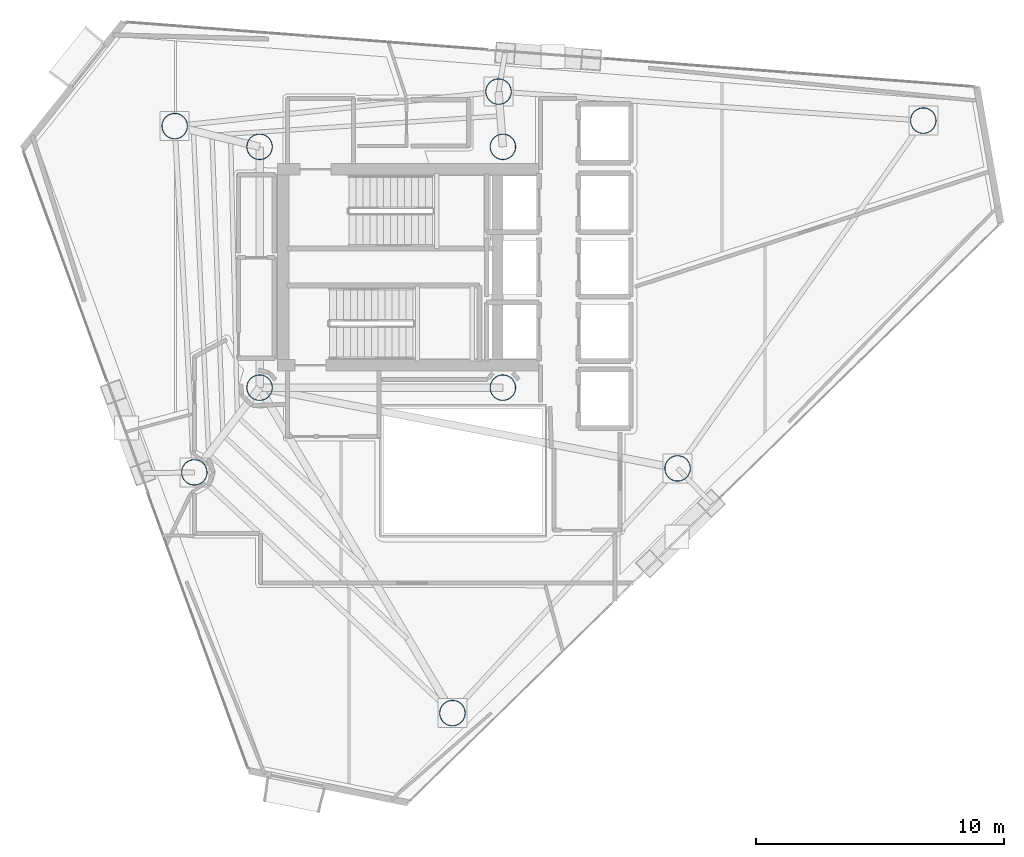
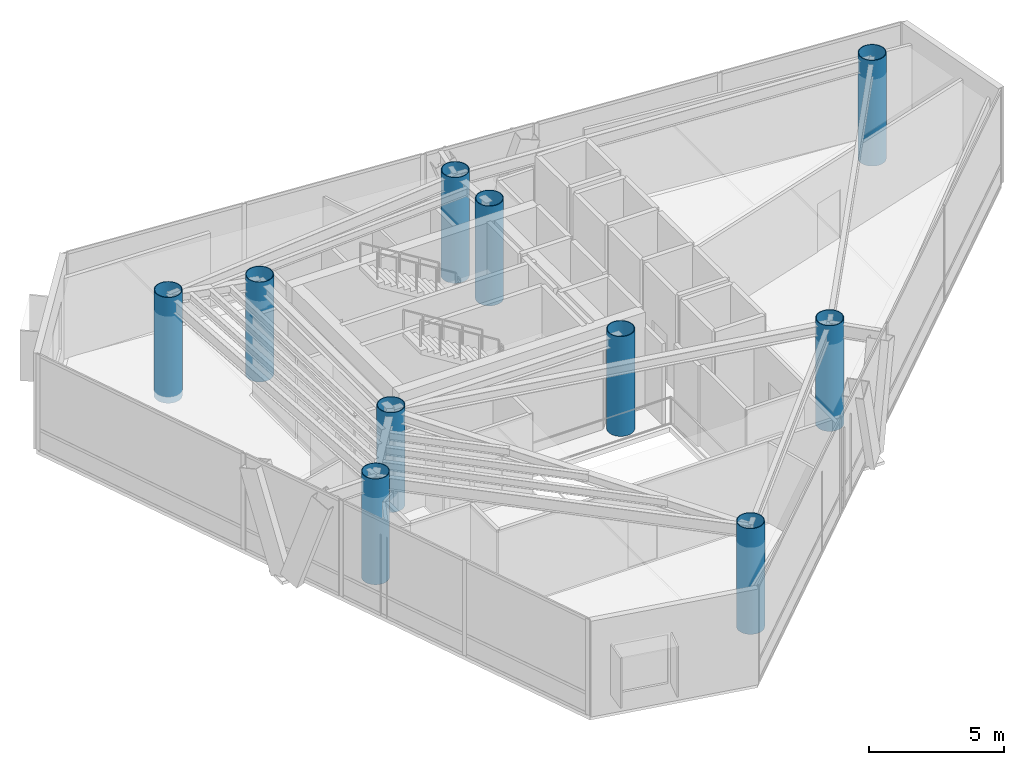
# One storey, part 1 of 21: 10 columns.
"""IFC4 building model written with IfcOpenShell, lengths in metres."""

from ifc_helpers import new_model, si_unit, direction, frame, origin, origin_2d, place, context, subcontext, project, spatial, hollow_circle, extrude, material, material_profile, profile_set, type_object, element, save


model = new_model("IFC4")

# Units and contexts
model_context = context("Model", 3, precision=1e-05, world=origin(), true_north=direction((0.0, 1.0)))
body_context = subcontext(model_context, "Body", "Model", "MODEL_VIEW")
ifc_project = project(units=[si_unit("LENGTHUNIT", "METRE"), si_unit("AREAUNIT", "SQUARE_METRE"), si_unit("VOLUMEUNIT", "CUBIC_METRE"), si_unit("PLANEANGLEUNIT", "RADIAN"), si_unit("MASSUNIT", "GRAM", prefix="KILO")], contexts=[model_context])

# Site, building, storey
site_placement = place(None, origin())
site = spatial("IfcSite", under=ifc_project, at=site_placement, CompositionType="ELEMENT")
building_placement = place(site_placement, origin())
building = spatial("IfcBuilding", under=site, at=building_placement, Name="Qianvela Tower", CompositionType="ELEMENT")
storey_placement = place(building_placement, frame((0.0, 0.0, 234.5)))
storey = spatial("IfcBuildingStorey", under=building, at=storey_placement, Name="L60", CompositionType="ELEMENT", Elevation=234.5)

# Columns
ifc_material = material(Name="Steel Q420GJC", Category="steel")
ifc_material_profile = material_profile(ifc_material, hollow_circle(Radius=0.52490234375, WallThickness=0.028076171875, at=origin_2d()), Name="CFT-1050x28")
ifc_profile_set = profile_set([ifc_material_profile], Name="Steel Q420GJC")
column_type = type_object("IfcColumnType", Name="COL-CFT-1050x28", PredefinedType="COLUMN", material=ifc_profile_set)
for number, where, z_axis, x_axis, name in (
    (1, (28.60009765625, 33.550048828125, 0.0), (0.0, 0.0, 1.0), (1.0, 0.0, 0.0), "L60 Core Corner Mega-Column CC-NW"),
    (2, (28.60009765625, 23.85009765625, 0.0), (0.0, 0.0, 1.0), (1.0, 0.0, 0.0), "L60 Core Corner Mega-Column CC-SW"),
    (3, (38.39990234375, 33.550048828125, 0.0), (0.0, 0.0, 1.0), (1.0, 0.0, 0.0), "L60 Core Corner Mega-Column CC-NE"),
    (4, (38.39990234375, 23.85009765625, 0.0), (0.0, 0.0, 1.0), (1.0, 0.0, 0.0), "L60 Core Corner Mega-Column CC-SE"),
):
    element("IfcColumn", number, at=place(storey_placement, frame(where, z_axis=z_axis, x_axis=x_axis)), inside=storey, type_object=column_type, Name=name, PredefinedType="COLUMN", context=body_context, shape_type="SweptSolid", body=[
        extrude(hollow_circle(Radius=0.52490234375, WallThickness=0.028076171875, at=origin_2d()), origin(), (0.0, 0.0, 1.0), 4.5),
    ])
for number, where, z_axis, x_axis, name in (
    (5, (55.33203125, 34.60498046875, -0.27001953125), (0.0, 0.0, 1.0), (1.0, 0.0, 0.0), "L60 Zone Z6 CFT Mega-Column C1"),
    (6, (38.22509765625, 35.77294921875, -0.27001953125), (0.0, 0.0, 1.0), (1.0, 0.0, 0.0), "L60 Zone Z6 CFT Mega-Column C2"),
    (7, (25.181884765625, 34.384033203125, -0.27001953125), (0.0, 0.0, 1.0), (1.0, 0.0, 0.0), "L60 Zone Z6 CFT Mega-Column C3"),
    (8, (25.971923828125, 20.43701171875, -0.27001953125), (0.0, 0.0, 1.0), (1.0, 0.0, 0.0), "L60 Zone Z6 CFT Mega-Column C4"),
    (9, (36.368896484375, 10.741943359375, -0.27001953125), (0.0, 0.0, 1.0), (1.0, 0.0, 0.0), "L60 Zone Z6 CFT Mega-Column C5"),
    (10, (45.43603515625, 20.597900390625, -0.27001953125), (0.0, 0.0, 1.0), (1.0, 0.0, 0.0), "L60 Zone Z6 CFT Mega-Column C6"),
):
    element("IfcColumn", number, at=place(storey_placement, frame(where, z_axis=z_axis, x_axis=x_axis)), inside=storey, type_object=column_type, Name=name, PredefinedType="COLUMN", context=body_context, shape_type="SweptSolid", body=[
        extrude(hollow_circle(Radius=0.52490234375, WallThickness=0.028076171875, at=origin_2d()), origin(), (0.0, 0.0, 1.0), 4.77001953125),
    ])

save(model, "model.ifc")
